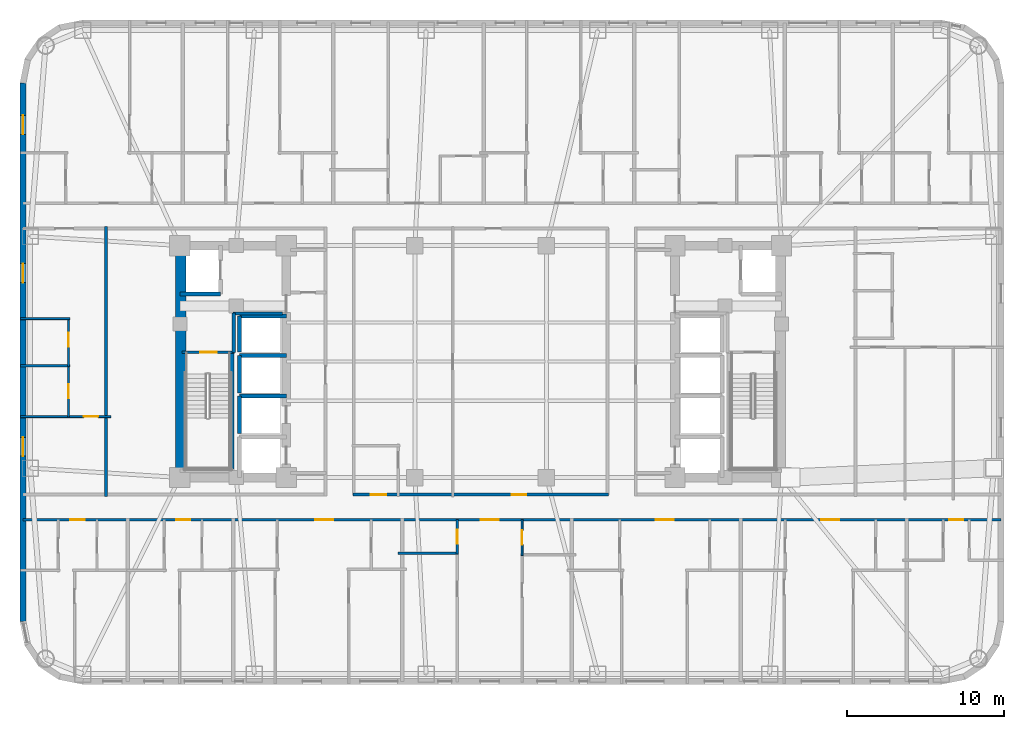
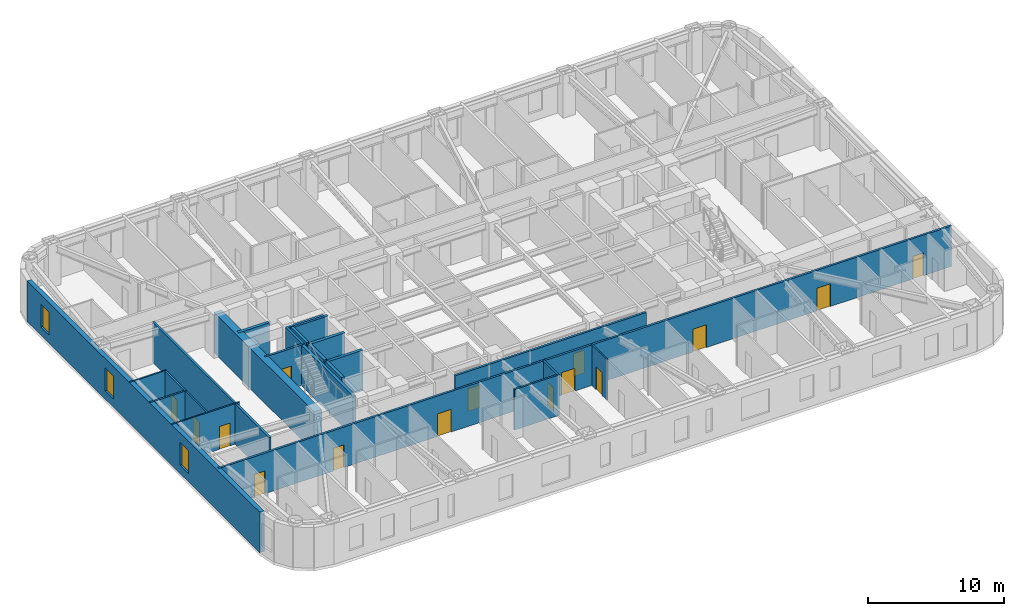
# One storey, part 4 of 11: 24 walls, 15 doors, 3 windows, 18 openings.
"""IFC4 building model written with IfcOpenShell, lengths in metres."""

from ifc_helpers import new_model, si_unit, direction, frame, frame_2d, origin, place, context, subcontext, project, spatial, rectangle, extrude, material, layer, layer_set, type_object, element, fill, save


model = new_model("IFC4")

# Units and contexts
model_context = context("Model", 3, precision=1e-05, world=origin(), true_north=direction((0.0, 1.0)))
body_context = subcontext(model_context, "Body", "Model", "MODEL_VIEW")
ifc_project = project(units=[si_unit("LENGTHUNIT", "METRE"), si_unit("AREAUNIT", "SQUARE_METRE"), si_unit("VOLUMEUNIT", "CUBIC_METRE"), si_unit("PLANEANGLEUNIT", "RADIAN"), si_unit("MASSUNIT", "GRAM", prefix="KILO")], contexts=[model_context])

# Site, building, storey
site_placement = place(None, origin())
site = spatial("IfcSite", under=ifc_project, at=site_placement, CompositionType="ELEMENT")
building_placement = place(site_placement, origin())
building = spatial("IfcBuilding", under=site, at=building_placement, Name="Voryun Gate Residences", CompositionType="ELEMENT")
storey_placement = place(building_placement, frame((0.0, 0.0, 105.300048828125)))
storey = spatial("IfcBuildingStorey", under=building, at=storey_placement, Name="L25", CompositionType="ELEMENT", Elevation=105.300048828125)

# Wall
ifc_material_1 = material(Name="Concrete C60/75", Category="concrete")
ifc_layer_1 = layer(ifc_material_1, 0.64990234375, Name="CW_CORE_650")
ifc_layer_set_1 = layer_set([ifc_layer_1], Name="Concrete C60/75")
wall_type_1 = type_object("IfcWallType", Name="CW_CORE_650", PredefinedType="SHEAR", material=ifc_layer_set_1)
wall_1_placement = place(storey_placement, frame((-19.14501953125, -7.39990234375, 0.0), z_axis=(0.0, 0.0, 1.0), x_axis=(0.0, 1.0, 0.0)))
element("IfcWall", 1, at=wall_1_placement, inside=storey, type_object=wall_type_1, Name="L25 Core shear wall CW-L25-WW", PredefinedType="SHEAR", context=body_context, shape_type="SweptSolid", body=[
    extrude(rectangle(XDim=14.7998046875, YDim=0.64990234375, at=frame_2d((7.39990234375, 0.0))), origin(), (0.0, 0.0, 1.0), 3.64990234375),
])

# Wall, opening, door
ifc_material_2 = material(Name="Gypsum acoustic fireboard")
ifc_layer_2 = layer(ifc_material_2, 0.179931640625, Name="W_CORR_RATED_180")
ifc_layer_set_2 = layer_set([ifc_layer_2], Name="Gypsum acoustic fireboard")
wall_type_2 = type_object("IfcWallType", Name="W_CORR_RATED_180", PredefinedType="PARTITIONING", material=ifc_layer_set_2)
wall_2_placement = place(storey_placement, frame((-19.06005859375, 0.60009765625, 0.0), z_axis=(0.0, 0.0, 1.0), x_axis=(1.0, 0.0, 0.0)))
wall_2 = element("IfcWall", 2, at=wall_2_placement, inside=storey, type_object=wall_type_2, Name="Partition wall WP-L25-STV-W", PredefinedType="PARTITIONING", context=body_context, shape_type="SweptSolid", body=[
    extrude(rectangle(XDim=3.360107421875, YDim=0.179931640625, at=frame_2d((1.68017578125, 0.0))), origin(), (0.0, 0.0, 1.0), 3.64990234375),
])
opening_1_placement = place(wall_2_placement, frame((1.155029296875, 0.0, 0.0)))
opening_1 = element("IfcOpeningElement", 3, at=opening_1_placement, cuts=wall_2, Name="Opening D-FD60-1", PredefinedType="OPENING", context=body_context, shape_type="SweptSolid", body=[
    extrude(rectangle(XDim=1.050048828125, YDim=2.050048828125, at=frame_2d((0.52490234375, 1.02490234375))), frame((0.0, 0.099853515625, 0.0), z_axis=(0.0, -1.0, 0.0), x_axis=(1.0, 0.0, 0.0)), (0.0, 0.0, 1.0), 0.199951171875),
])
ifc_material_3 = material(Name="Painted steel fire door", Category="steel")
door_type_1 = type_object("IfcDoorType", Name="DR_FD60_STAIR_1050", OperationType="NOTDEFINED", PredefinedType="DOOR", material=ifc_material_3)
door_1_placement = place(opening_1_placement, origin())
door_1 = element("IfcDoor", 4, at=door_1_placement, inside=storey, type_object=door_type_1, Name="Door DR-L25-ST-W", OperationType="SINGLE_SWING_LEFT", OverallHeight=2.050048828125, OverallWidth=1.050048828125, PredefinedType="DOOR", context=body_context, shape_type="SweptSolid", body=[
    extrude(rectangle(XDim=1.050048828125, YDim=2.050048828125, at=frame_2d((0.52490234375, 1.02490234375))), frame((0.0, 0.02490234375, 0.0), z_axis=(0.0, -1.0, 0.0), x_axis=(1.0, 0.0, 0.0)), (0.0, 0.0, 1.0), 0.050048828125),
])
fill(opening_1, door_1)

# Wall, openings, doors
wall_3_placement = place(storey_placement, frame((-8.14990234375, -8.489990234375, 0.0), z_axis=(0.0, 0.0, 1.0), x_axis=(1.0, 0.0, 0.0)))
wall_3 = element("IfcWall", 5, at=wall_3_placement, inside=storey, type_object=wall_type_2, Name="Partition wall WP-L25-Z1S", PredefinedType="PARTITIONING", context=body_context, shape_type="SweptSolid", body=[
    extrude(rectangle(XDim=16.2998046875, YDim=0.179931640625, at=frame_2d((8.14990234375, 0.0))), origin(), (0.0, 0.0, 1.0), 3.64990234375),
])
opening_2_placement = place(wall_3_placement, frame((1.1298828125, 0.0, 0.0)))
opening_2 = element("IfcOpeningElement", 6, at=opening_2_placement, cuts=wall_3, Name="Opening D-AWC-1", PredefinedType="OPENING", context=body_context, shape_type="SweptSolid", body=[
    extrude(rectangle(XDim=1.0, YDim=2.050048828125, at=frame_2d((0.5, 1.02490234375))), frame((0.0, 0.099853515625, 0.0), z_axis=(0.0, -1.0, 0.0), x_axis=(1.0, 0.0, 0.0)), (0.0, 0.0, 1.0), 0.199951171875),
])
opening_3_placement = place(wall_3_placement, frame((10.1201171875, 0.0, 0.0)))
opening_3 = element("IfcOpeningElement", 7, at=opening_3_placement, cuts=wall_3, Name="Opening D-INT-1", PredefinedType="OPENING", context=body_context, shape_type="SweptSolid", body=[
    extrude(rectangle(XDim=0.949951171875, YDim=2.050048828125, at=frame_2d((0.47509765625, 1.02490234375))), frame((0.0, 0.099853515625, 0.0), z_axis=(0.0, -1.0, 0.0), x_axis=(1.0, 0.0, 0.0)), (0.0, 0.0, 1.0), 0.199951171875),
])
ifc_material_4 = material(Name="Architectural oak veneer")
door_type_2 = type_object("IfcDoorType", Name="DR_ACC_WC_1000", OperationType="NOTDEFINED", PredefinedType="DOOR", material=ifc_material_4)
door_2_placement = place(opening_2_placement, origin())
door_2 = element("IfcDoor", 8, at=door_2_placement, inside=storey, type_object=door_type_2, Name="Door DR-L25-CMWC-D", OperationType="SINGLE_SWING_LEFT", OverallHeight=2.050048828125, OverallWidth=1.0, PredefinedType="DOOR", context=body_context, shape_type="SweptSolid", body=[
    extrude(rectangle(XDim=1.0, YDim=2.050048828125, at=frame_2d((0.5, 1.02490234375))), frame((0.0, 0.02490234375, 0.0), z_axis=(0.0, -1.0, 0.0), x_axis=(1.0, 0.0, 0.0)), (0.0, 0.0, 1.0), 0.050048828125),
])
fill(opening_2, door_2)
ifc_material_5 = material(Name="Architectural oak veneer")
door_type_3 = type_object("IfcDoorType", Name="DR_INT_ROOM_950", OperationType="NOTDEFINED", PredefinedType="DOOR", material=ifc_material_5)
door_3_placement = place(opening_3_placement, origin())
door_3 = element("IfcDoor", 9, at=door_3_placement, inside=storey, type_object=door_type_3, Name="Door DR-L25-CMIDZ1S", OperationType="SINGLE_SWING_RIGHT", OverallHeight=2.050048828125, OverallWidth=0.949951171875, PredefinedType="DOOR", context=body_context, shape_type="SweptSolid", body=[
    extrude(rectangle(XDim=0.949951171875, YDim=2.050048828125, at=frame_2d((0.47509765625, 1.02490234375))), frame((0.0, 0.02490234375, 0.0), z_axis=(0.0, -1.0, 0.0), x_axis=(1.0, 0.0, 0.0)), (0.0, 0.0, 1.0), 0.050048828125),
])
fill(opening_3, door_3)

wall_4_placement = place(storey_placement, frame((-29.2099609375, -10.10009765625, 0.0), z_axis=(0.0, 0.0, 1.0), x_axis=(1.0, 0.0, 0.0)))
wall_4 = element("IfcWall", 10, at=wall_4_placement, inside=storey, type_object=wall_type_2, Name="Partition wall WP-L25-SCORR", PredefinedType="PARTITIONING", context=body_context, shape_type="SweptSolid", body=[
    extrude(rectangle(XDim=62.419921875, YDim=0.179931640625, at=frame_2d((31.2099609375, 0.0))), origin(), (0.0, 0.0, 1.0), 3.64990234375),
])
opening_4_placement = place(wall_4_placement, frame((3.032958984375, 0.0, 0.0)))
opening_4 = element("IfcOpeningElement", 11, at=opening_4_placement, cuts=wall_4, Name="Opening D-INT-2", PredefinedType="OPENING", context=body_context, shape_type="SweptSolid", body=[
    extrude(rectangle(XDim=0.89990234375, YDim=2.050048828125, at=frame_2d((0.449951171875, 1.02490234375))), frame((0.0, 0.099853515625, 0.0), z_axis=(0.0, -1.0, 0.0), x_axis=(1.0, 0.0, 0.0)), (0.0, 0.0, 1.0), 0.199951171875),
])
opening_5_placement = place(wall_4_placement, frame((9.768310546875, 0.0, 0.0)))
opening_5 = element("IfcOpeningElement", 12, at=opening_5_placement, cuts=wall_4, Name="Opening D-INT-2", PredefinedType="OPENING", context=body_context, shape_type="SweptSolid", body=[
    extrude(rectangle(XDim=0.89990234375, YDim=2.050048828125, at=frame_2d((0.449951171875, 1.02490234375))), frame((0.0, 0.099853515625, 0.0), z_axis=(0.0, -1.0, 0.0), x_axis=(1.0, 0.0, 0.0)), (0.0, 0.0, 1.0), 0.199951171875),
])
opening_6_placement = place(wall_4_placement, frame((18.650390625, 0.0, 0.0)))
opening_6 = element("IfcOpeningElement", 13, at=opening_6_placement, cuts=wall_4, Name="Opening D-UNIT-1", PredefinedType="OPENING", context=body_context, shape_type="SweptSolid", body=[
    extrude(rectangle(XDim=1.14990234375, YDim=2.050048828125, at=frame_2d((0.574951171875, 1.02490234375))), frame((0.0, 0.099853515625, 0.0), z_axis=(0.0, -1.0, 0.0), x_axis=(1.0, 0.0, 0.0)), (0.0, 0.0, 1.0), 0.199951171875),
])
opening_7_placement = place(wall_4_placement, frame((29.2119140625, 0.0, 0.0)))
opening_7 = element("IfcOpeningElement", 14, at=opening_7_placement, cuts=wall_4, Name="Opening D-UNIT-1", PredefinedType="OPENING", context=body_context, shape_type="SweptSolid", body=[
    extrude(rectangle(XDim=1.14990234375, YDim=2.050048828125, at=frame_2d((0.574951171875, 1.02490234375))), frame((0.0, 0.099853515625, 0.0), z_axis=(0.0, -1.0, 0.0), x_axis=(1.0, 0.0, 0.0)), (0.0, 0.0, 1.0), 0.199951171875),
])
opening_8_placement = place(wall_4_placement, frame((40.37890625, 0.0, 0.0)))
opening_8 = element("IfcOpeningElement", 15, at=opening_8_placement, cuts=wall_4, Name="Opening D-UNIT-1", PredefinedType="OPENING", context=body_context, shape_type="SweptSolid", body=[
    extrude(rectangle(XDim=1.14990234375, YDim=2.050048828125, at=frame_2d((0.574951171875, 1.02490234375))), frame((0.0, 0.099853515625, 0.0), z_axis=(0.0, -1.0, 0.0), x_axis=(1.0, 0.0, 0.0)), (0.0, 0.0, 1.0), 0.199951171875),
])
opening_9_placement = place(wall_4_placement, frame((50.958984375, 0.0, 0.0)))
opening_9 = element("IfcOpeningElement", 16, at=opening_9_placement, cuts=wall_4, Name="Opening D-UNIT-1", PredefinedType="OPENING", context=body_context, shape_type="SweptSolid", body=[
    extrude(rectangle(XDim=1.14990234375, YDim=2.050048828125, at=frame_2d((0.574951171875, 1.02490234375))), frame((0.0, 0.099853515625, 0.0), z_axis=(0.0, -1.0, 0.0), x_axis=(1.0, 0.0, 0.0)), (0.0, 0.0, 1.0), 0.199951171875),
])
opening_10_placement = place(wall_4_placement, frame((59.117431640625, 0.0, 0.0)))
opening_10 = element("IfcOpeningElement", 17, at=opening_10_placement, cuts=wall_4, Name="Opening D-INT-2", PredefinedType="OPENING", context=body_context, shape_type="SweptSolid", body=[
    extrude(rectangle(XDim=0.89990234375, YDim=2.050048828125, at=frame_2d((0.449951171875, 1.02490234375))), frame((0.0, 0.099853515625, 0.0), z_axis=(0.0, -1.0, 0.0), x_axis=(1.0, 0.0, 0.0)), (0.0, 0.0, 1.0), 0.199951171875),
])
ifc_material_6 = material(Name="Architectural oak veneer")
door_type_4 = type_object("IfcDoorType", Name="DR_INT_BATH_900", OperationType="NOTDEFINED", PredefinedType="DOOR", material=ifc_material_6)
door_4_placement = place(opening_4_placement, origin())
door_4 = element("IfcDoor", 18, at=door_4_placement, inside=storey, type_object=door_type_4, Name="Door DR-L25-SENT-1", OperationType="SINGLE_SWING_RIGHT", OverallHeight=2.050048828125, OverallWidth=0.89990234375, PredefinedType="DOOR", context=body_context, shape_type="SweptSolid", body=[
    extrude(rectangle(XDim=0.89990234375, YDim=2.050048828125, at=frame_2d((0.449951171875, 1.02490234375))), frame((0.0, 0.02490234375, 0.0), z_axis=(0.0, -1.0, 0.0), x_axis=(1.0, 0.0, 0.0)), (0.0, 0.0, 1.0), 0.050048828125),
])
fill(opening_4, door_4)
door_5_placement = place(opening_5_placement, origin())
door_5 = element("IfcDoor", 19, at=door_5_placement, inside=storey, type_object=door_type_4, Name="Door DR-L25-SENT-2", OperationType="SINGLE_SWING_LEFT", OverallHeight=2.050048828125, OverallWidth=0.89990234375, PredefinedType="DOOR", context=body_context, shape_type="SweptSolid", body=[
    extrude(rectangle(XDim=0.89990234375, YDim=2.050048828125, at=frame_2d((0.449951171875, 1.02490234375))), frame((0.0, 0.02490234375, 0.0), z_axis=(0.0, -1.0, 0.0), x_axis=(1.0, 0.0, 0.0)), (0.0, 0.0, 1.0), 0.050048828125),
])
fill(opening_5, door_5)
door_6_placement = place(opening_10_placement, origin())
door_6 = element("IfcDoor", 20, at=door_6_placement, inside=storey, type_object=door_type_4, Name="Door DR-L25-SENT-7", OperationType="SINGLE_SWING_RIGHT", OverallHeight=2.050048828125, OverallWidth=0.89990234375, PredefinedType="DOOR", context=body_context, shape_type="SweptSolid", body=[
    extrude(rectangle(XDim=0.89990234375, YDim=2.050048828125, at=frame_2d((0.449951171875, 1.02490234375))), frame((0.0, 0.02490234375, 0.0), z_axis=(0.0, -1.0, 0.0), x_axis=(1.0, 0.0, 0.0)), (0.0, 0.0, 1.0), 0.050048828125),
])
fill(opening_10, door_6)
ifc_material_7 = material(Name="Armoured timber-clad fire door", Category="wood")
door_type_5 = type_object("IfcDoorType", Name="DR_UNIT_ENTRY_1150", OperationType="NOTDEFINED", PredefinedType="DOOR", material=ifc_material_7)
door_7_placement = place(opening_6_placement, origin())
door_7 = element("IfcDoor", 21, at=door_7_placement, inside=storey, type_object=door_type_5, Name="Door DR-L25-SENT-3", OperationType="SINGLE_SWING_RIGHT", OverallHeight=2.050048828125, OverallWidth=1.14990234375, PredefinedType="DOOR", context=body_context, shape_type="SweptSolid", body=[
    extrude(rectangle(XDim=1.14990234375, YDim=2.050048828125, at=frame_2d((0.574951171875, 1.02490234375))), frame((0.0, 0.02490234375, 0.0), z_axis=(0.0, -1.0, 0.0), x_axis=(1.0, 0.0, 0.0)), (0.0, 0.0, 1.0), 0.050048828125),
])
fill(opening_6, door_7)
door_8_placement = place(opening_7_placement, origin())
door_8 = element("IfcDoor", 22, at=door_8_placement, inside=storey, type_object=door_type_5, Name="Door DR-L25-SENT-4", OperationType="SINGLE_SWING_LEFT", OverallHeight=2.050048828125, OverallWidth=1.14990234375, PredefinedType="DOOR", context=body_context, shape_type="SweptSolid", body=[
    extrude(rectangle(XDim=1.14990234375, YDim=2.050048828125, at=frame_2d((0.574951171875, 1.02490234375))), frame((0.0, 0.02490234375, 0.0), z_axis=(0.0, -1.0, 0.0), x_axis=(1.0, 0.0, 0.0)), (0.0, 0.0, 1.0), 0.050048828125),
])
fill(opening_7, door_8)
door_9_placement = place(opening_8_placement, origin())
door_9 = element("IfcDoor", 23, at=door_9_placement, inside=storey, type_object=door_type_5, Name="Door DR-L25-SENT-5", OperationType="SINGLE_SWING_RIGHT", OverallHeight=2.050048828125, OverallWidth=1.14990234375, PredefinedType="DOOR", context=body_context, shape_type="SweptSolid", body=[
    extrude(rectangle(XDim=1.14990234375, YDim=2.050048828125, at=frame_2d((0.574951171875, 1.02490234375))), frame((0.0, 0.02490234375, 0.0), z_axis=(0.0, -1.0, 0.0), x_axis=(1.0, 0.0, 0.0)), (0.0, 0.0, 1.0), 0.050048828125),
])
fill(opening_8, door_9)
door_10_placement = place(opening_9_placement, origin())
door_10 = element("IfcDoor", 24, at=door_10_placement, inside=storey, type_object=door_type_5, Name="Door DR-L25-SENT-6", OperationType="SINGLE_SWING_LEFT", OverallHeight=2.050048828125, OverallWidth=1.14990234375, PredefinedType="DOOR", context=body_context, shape_type="SweptSolid", body=[
    extrude(rectangle(XDim=1.14990234375, YDim=2.050048828125, at=frame_2d((0.574951171875, 1.02490234375))), frame((0.0, 0.02490234375, 0.0), z_axis=(0.0, -1.0, 0.0), x_axis=(1.0, 0.0, 0.0)), (0.0, 0.0, 1.0), 0.050048828125),
])
fill(opening_9, door_10)

# Wall
wall_5_placement = place(storey_placement, frame((-23.919921875, -8.610107421875, 0.0), z_axis=(0.0, 0.0, 1.0), x_axis=(0.0, 1.0, 0.0)))
element("IfcWall", 25, at=wall_5_placement, inside=storey, type_object=wall_type_2, Name="Partition wall WP-L25-WCOR", PredefinedType="PARTITIONING", context=body_context, shape_type="SweptSolid", body=[
    extrude(rectangle(XDim=17.22021484375, YDim=0.179931640625, at=frame_2d((8.610107421875, 0.0))), origin(), (0.0, 0.0, 1.0), 3.64990234375),
])

# Wall, openings, windows
ifc_material_8 = material(Name="Granite masonry", Category="masonry")
ifc_layer_3 = layer(ifc_material_8, 0.3798828125, Name="W_EXT_GRANITE_380")
ifc_layer_set_3 = layer_set([ifc_layer_3], Name="Granite masonry")
wall_type_3 = type_object("IfcWallType", Name="W_EXT_GRANITE_380", PredefinedType="ELEMENTEDWALL", material=ifc_layer_set_3)
wall_6_placement = place(storey_placement, frame((-29.2099609375, -16.581298828125, 0.0), z_axis=(0.0, 0.0, 1.0), x_axis=(0.0, 1.0, 0.0)))
wall_6 = element("IfcWall", 26, at=wall_6_placement, inside=storey, type_object=wall_type_3, Name="Exterior wall WEXT-L25-06", PredefinedType="ELEMENTEDWALL", context=body_context, shape_type="SweptSolid", body=[
    extrude(rectangle(XDim=34.362548828125, YDim=0.3798828125, at=frame_2d((17.18115234375, 0.0))), origin(), (0.0, 0.0, 1.0), 3.64990234375),
])
opening_11_placement = place(wall_6_placement, frame((31.0869140625, 0.0, 0.75)))
opening_11 = element("IfcOpeningElement", 27, at=opening_11_placement, cuts=wall_6, Name="Opening WN6", PredefinedType="OPENING", context=body_context, shape_type="SweptSolid", body=[
    extrude(rectangle(XDim=1.199951171875, YDim=2.050048828125, at=frame_2d((0.60009765625, 1.02490234375))), frame((0.0, 0.199951171875, 0.0), z_axis=(0.0, -1.0, 0.0), x_axis=(1.0, 0.0, 0.0)), (0.0, 0.0, 1.0), 0.39990234375),
])
opening_12_placement = place(wall_6_placement, frame((21.626220703125, 0.0, 0.75)))
opening_12 = element("IfcOpeningElement", 28, at=opening_12_placement, cuts=wall_6, Name="Opening WN6", PredefinedType="OPENING", context=body_context, shape_type="SweptSolid", body=[
    extrude(rectangle(XDim=1.199951171875, YDim=2.050048828125, at=frame_2d((0.60009765625, 1.02490234375))), frame((0.0, 0.199951171875, 0.0), z_axis=(0.0, -1.0, 0.0), x_axis=(1.0, 0.0, 0.0)), (0.0, 0.0, 1.0), 0.39990234375),
])
opening_13_placement = place(wall_6_placement, frame((10.55126953125, 0.0, 0.75)))
opening_13 = element("IfcOpeningElement", 29, at=opening_13_placement, cuts=wall_6, Name="Opening WN6", PredefinedType="OPENING", context=body_context, shape_type="SweptSolid", body=[
    extrude(rectangle(XDim=1.199951171875, YDim=2.050048828125, at=frame_2d((0.60009765625, 1.02490234375))), frame((0.0, 0.199951171875, 0.0), z_axis=(0.0, -1.0, 0.0), x_axis=(1.0, 0.0, 0.0)), (0.0, 0.0, 1.0), 0.39990234375),
])
ifc_material_9 = material(Name="Laminated low-E glass", Category="glass")
window_type = type_object("IfcWindowType", Name="WN_POD_SLOT_1200", PartitioningType="SINGLE_PANEL", PredefinedType="WINDOW", material=ifc_material_9)
window_1_placement = place(opening_11_placement, origin())
window_1 = element("IfcWindow", 30, at=window_1_placement, inside=storey, type_object=window_type, Name="Window WN-L25-DWFIX-01", OverallHeight=2.050048828125, OverallWidth=1.199951171875, PartitioningType="SINGLE_PANEL", PredefinedType="WINDOW", context=body_context, shape_type="SweptSolid", body=[
    extrude(rectangle(XDim=1.199951171875, YDim=2.050048828125, at=frame_2d((0.60009765625, 1.02490234375))), frame((0.0, 0.030029296875, 0.0), z_axis=(0.0, -1.0, 0.0), x_axis=(1.0, 0.0, 0.0)), (0.0, 0.0, 1.0), 0.06005859375),
])
fill(opening_11, window_1)
window_2_placement = place(opening_12_placement, origin())
window_2 = element("IfcWindow", 31, at=window_2_placement, inside=storey, type_object=window_type, Name="Window WN-L25-DWFIX-29", OverallHeight=2.050048828125, OverallWidth=1.199951171875, PartitioningType="SINGLE_PANEL", PredefinedType="WINDOW", context=body_context, shape_type="SweptSolid", body=[
    extrude(rectangle(XDim=1.199951171875, YDim=2.050048828125, at=frame_2d((0.60009765625, 1.02490234375))), frame((0.0, 0.030029296875, 0.0), z_axis=(0.0, -1.0, 0.0), x_axis=(1.0, 0.0, 0.0)), (0.0, 0.0, 1.0), 0.06005859375),
])
fill(opening_12, window_2)
window_3_placement = place(opening_13_placement, origin())
window_3 = element("IfcWindow", 32, at=window_3_placement, inside=storey, type_object=window_type, Name="Window WN-L25-DWFIX-30", OverallHeight=2.050048828125, OverallWidth=1.199951171875, PartitioningType="SINGLE_PANEL", PredefinedType="WINDOW", context=body_context, shape_type="SweptSolid", body=[
    extrude(rectangle(XDim=1.199951171875, YDim=2.050048828125, at=frame_2d((0.60009765625, 1.02490234375))), frame((0.0, 0.030029296875, 0.0), z_axis=(0.0, -1.0, 0.0), x_axis=(1.0, 0.0, 0.0)), (0.0, 0.0, 1.0), 0.06005859375),
])
fill(opening_13, window_3)

# Walls
ifc_material_10 = material(Name="Concrete C40/50", Category="concrete")
ifc_layer_4 = layer(ifc_material_10, 0.199951171875, Name="W_FF_LOBBY_200")
ifc_layer_set_4 = layer_set([ifc_layer_4], Name="Concrete C40/50")
wall_type_4 = type_object("IfcWallType", Name="W_FF_LOBBY_200", PredefinedType="PARTITIONING", material=ifc_layer_set_4)
wall_7_placement = place(storey_placement, frame((-15.760009765625, 0.580078125, 0.0), z_axis=(0.0, 0.0, 1.0), x_axis=(0.0, 1.0, 0.0)))
element("IfcWall", 33, at=wall_7_placement, inside=storey, type_object=wall_type_4, Name="Partition wall WP-L25-FFP0-W", PredefinedType="PARTITIONING", context=body_context, shape_type="SweptSolid", body=[
    extrude(rectangle(XDim=2.52001953125, YDim=0.199951171875, at=frame_2d((1.260009765625, 0.0))), origin(), (0.0, 0.0, 1.0), 3.64990234375),
])
wall_8_placement = place(storey_placement, frame((-15.820068359375, 3.06005859375, 0.0), z_axis=(0.0, 0.0, 1.0), x_axis=(1.0, 0.0, 0.0)))
element("IfcWall", 34, at=wall_8_placement, inside=storey, type_object=wall_type_4, Name="Partition wall WP-L25-FFPS-W", PredefinedType="PARTITIONING", context=body_context, shape_type="SweptSolid", body=[
    extrude(rectangle(XDim=3.16015625, YDim=0.199951171875, at=frame_2d((1.580078125, 0.0))), origin(), (0.0, 0.0, 1.0), 3.64990234375),
])
ifc_material_11 = material(Name="Concrete C50/60", Category="concrete")
ifc_layer_5 = layer(ifc_material_11, 0.25, Name="W_SHAFT_RC250")
ifc_layer_set_5 = layer_set([ifc_layer_5], Name="Concrete C50/60")
wall_type_5 = type_object("IfcWallType", Name="W_SHAFT_RC250", PredefinedType="SOLIDWALL", material=ifc_layer_set_5)
wall_9_placement = place(storey_placement, frame((-15.860107421875, -7.0849609375, 0.0), z_axis=(0.0, 0.0, 1.0), x_axis=(0.0, 1.0, 0.0)))
element("IfcWall", 35, at=wall_9_placement, inside=storey, type_object=wall_type_5, Name="L25 Stair shaft structural wall W-STR", PredefinedType="SOLIDWALL", context=body_context, shape_type="SweptSolid", body=[
    extrude(rectangle(XDim=7.68505859375, YDim=0.25, at=frame_2d((3.842529296875, 0.0))), origin(), (0.0, 0.0, 1.0), 3.64990234375),
])
wall_10_placement = place(storey_placement, frame((-19.199951171875, 4.300048828125, 0.0), z_axis=(0.0, 0.0, 1.0), x_axis=(1.0, 0.0, 0.0)))
element("IfcWall", 36, at=wall_10_placement, inside=storey, type_object=wall_type_5, Name="Lift shaft wall WSH-L25-EL-FF-W1-S", PredefinedType="SOLIDWALL", context=body_context, shape_type="SweptSolid", body=[
    extrude(rectangle(XDim=2.599853515625, YDim=0.25, at=frame_2d((1.2998046875, 0.0))), origin(), (0.0, 0.0, 1.0), 3.64990234375),
])
wall_11_placement = place(storey_placement, frame((-12.39990234375, -2.199951171875, 0.0), z_axis=(0.0, 0.0, 1.0), x_axis=(-1.0, 0.0, 0.0)))
element("IfcWall", 37, at=wall_11_placement, inside=storey, type_object=wall_type_5, Name="Lift shaft wall WSH-L25-EL-P2-N", PredefinedType="SOLIDWALL", context=body_context, shape_type="SweptSolid", body=[
    extrude(rectangle(XDim=3.0, YDim=0.25, at=frame_2d((1.5, 0.0))), origin(), (0.0, 0.0, 1.0), 3.64990234375),
])
wall_12_placement = place(storey_placement, frame((-15.39990234375, -2.199951171875, 0.0), z_axis=(0.0, 0.0, 1.0), x_axis=(0.0, -1.0, 0.0)))
element("IfcWall", 38, at=wall_12_placement, inside=storey, type_object=wall_type_5, Name="Lift shaft wall WSH-L25-EL-P2-W", PredefinedType="SOLIDWALL", context=body_context, shape_type="SweptSolid", body=[
    extrude(rectangle(XDim=2.400146484375, YDim=0.25, at=frame_2d((1.2001953125, 0.0))), origin(), (0.0, 0.0, 1.0), 3.64990234375),
])
wall_13_placement = place(storey_placement, frame((-12.39990234375, 0.39990234375, 0.0), z_axis=(0.0, 0.0, 1.0), x_axis=(-1.0, 0.0, 0.0)))
element("IfcWall", 39, at=wall_13_placement, inside=storey, type_object=wall_type_5, Name="Lift shaft wall WSH-L25-EL-P4-N", PredefinedType="SOLIDWALL", context=body_context, shape_type="SweptSolid", body=[
    extrude(rectangle(XDim=3.0, YDim=0.25, at=frame_2d((1.5, 0.0))), origin(), (0.0, 0.0, 1.0), 3.64990234375),
])
wall_14_placement = place(storey_placement, frame((-15.39990234375, 0.39990234375, 0.0), z_axis=(0.0, 0.0, 1.0), x_axis=(0.0, -1.0, 0.0)))
element("IfcWall", 40, at=wall_14_placement, inside=storey, type_object=wall_type_5, Name="Lift shaft wall WSH-L25-EL-P4-W", PredefinedType="SOLIDWALL", context=body_context, shape_type="SweptSolid", body=[
    extrude(rectangle(XDim=2.39990234375, YDim=0.25, at=frame_2d((1.199951171875, 0.0))), origin(), (0.0, 0.0, 1.0), 3.64990234375),
])
wall_15_placement = place(storey_placement, frame((-12.39990234375, 2.89990234375, 0.0), z_axis=(0.0, 0.0, 1.0), x_axis=(-1.0, 0.0, 0.0)))
element("IfcWall", 41, at=wall_15_placement, inside=storey, type_object=wall_type_5, Name="Lift shaft wall WSH-L25-EL-P7-N", PredefinedType="SOLIDWALL", context=body_context, shape_type="SweptSolid", body=[
    extrude(rectangle(XDim=3.0, YDim=0.25, at=frame_2d((1.5, 0.0))), origin(), (0.0, 0.0, 1.0), 3.64990234375),
])
wall_16_placement = place(storey_placement, frame((-15.39990234375, 2.89990234375, 0.0), z_axis=(0.0, 0.0, 1.0), x_axis=(0.0, -1.0, 0.0)))
element("IfcWall", 42, at=wall_16_placement, inside=storey, type_object=wall_type_5, Name="Lift shaft wall WSH-L25-EL-P7-W", PredefinedType="SOLIDWALL", context=body_context, shape_type="SweptSolid", body=[
    extrude(rectangle(XDim=2.2998046875, YDim=0.25, at=frame_2d((1.14990234375, 0.0))), origin(), (0.0, 0.0, 1.0), 3.64990234375),
])

# Wall, opening, door
ifc_material_12 = material(Name="Gypsum acoustic partition")
ifc_layer_6 = layer(ifc_material_12, 0.125, Name="W_UNIT_PART_125")
ifc_layer_set_6 = layer_set([ifc_layer_6], Name="Gypsum acoustic partition")
wall_type_6 = type_object("IfcWallType", Name="W_UNIT_PART_125", PredefinedType="PARTITIONING", material=ifc_layer_set_6)
wall_17_placement = place(storey_placement, frame((2.639892578125, -12.3798828125, 0.0), z_axis=(0.0, 0.0, 1.0), x_axis=(0.0, 1.0, 0.0)))
wall_17 = element("IfcWall", 43, at=wall_17_placement, inside=storey, type_object=wall_type_6, Name="Partition wall WP-L25-S4-RVX2", PredefinedType="PARTITIONING", context=body_context, shape_type="SweptSolid", body=[
    extrude(rectangle(XDim=2.2998046875, YDim=0.125, at=frame_2d((1.14990234375, 0.0))), origin(), (0.0, 0.0, 1.0), 3.64990234375),
])
opening_14_placement = place(wall_17_placement, frame((0.699951171875, 0.0, 0.0)))
opening_14 = element("IfcOpeningElement", 44, at=opening_14_placement, cuts=wall_17, Name="Opening D-INT-2", PredefinedType="OPENING", context=body_context, shape_type="SweptSolid", body=[
    extrude(rectangle(XDim=0.89990234375, YDim=2.050048828125, at=frame_2d((0.449951171875, 1.02490234375))), frame((0.0, 0.072509765625, 0.0), z_axis=(0.0, -1.0, 0.0), x_axis=(1.0, 0.0, 0.0)), (0.0, 0.0, 1.0), 0.14501953125),
])
door_11_placement = place(opening_14_placement, origin())
door_11 = element("IfcDoor", 45, at=door_11_placement, inside=storey, type_object=door_type_4, Name="Door DR-L25-S4-DK", OperationType="SINGLE_SWING_LEFT", OverallHeight=2.050048828125, OverallWidth=0.89990234375, PredefinedType="DOOR", context=body_context, shape_type="SweptSolid", body=[
    extrude(rectangle(XDim=0.89990234375, YDim=2.050048828125, at=frame_2d((0.449951171875, 1.02490234375))), frame((0.0, 0.02490234375, 0.0), z_axis=(0.0, -1.0, 0.0), x_axis=(1.0, 0.0, 0.0)), (0.0, 0.0, 1.0), 0.050048828125),
])
fill(opening_14, door_11)

# Wall
wall_18_placement = place(storey_placement, frame((-29.360107421875, 2.739990234375, 0.0), z_axis=(0.0, 0.0, 1.0), x_axis=(1.0, 0.0, 0.0)))
element("IfcWall", 46, at=wall_18_placement, inside=storey, type_object=wall_type_6, Name="Partition wall WP-L25-W1-HZ1", PredefinedType="PARTITIONING", context=body_context, shape_type="SweptSolid", body=[
    extrude(rectangle(XDim=3.135986328125, YDim=0.125, at=frame_2d((1.56787109375, 0.0))), origin(), (0.0, 0.0, 1.0), 3.64990234375),
])

# Wall, opening, door
wall_19_placement = place(storey_placement, frame((-29.360107421875, -3.510009765625, 0.0), z_axis=(0.0, 0.0, 1.0), x_axis=(1.0, 0.0, 0.0)))
wall_19 = element("IfcWall", 47, at=wall_19_placement, inside=storey, type_object=wall_type_6, Name="Partition wall WP-L25-W1-HZ3", PredefinedType="PARTITIONING", context=body_context, shape_type="SweptSolid", body=[
    extrude(rectangle(XDim=5.760009765625, YDim=0.125, at=frame_2d((2.8798828125, 0.0))), origin(), (0.0, 0.0, 1.0), 3.64990234375),
])
opening_15_placement = place(wall_19_placement, frame((4.042724609375, 0.0, 0.0)))
opening_15 = element("IfcOpeningElement", 48, at=opening_15_placement, cuts=wall_19, Name="Opening D-INT-2", PredefinedType="OPENING", context=body_context, shape_type="SweptSolid", body=[
    extrude(rectangle(XDim=0.89990234375, YDim=2.050048828125, at=frame_2d((0.449951171875, 1.02490234375))), frame((0.0, 0.072509765625, 0.0), z_axis=(0.0, -1.0, 0.0), x_axis=(1.0, 0.0, 0.0)), (0.0, 0.0, 1.0), 0.14501953125),
])
door_12_placement = place(opening_15_placement, origin())
door_12 = element("IfcDoor", 49, at=door_12_placement, inside=storey, type_object=door_type_4, Name="Door DR-L25-W1-DMB", OperationType="SINGLE_SWING_LEFT", OverallHeight=2.050048828125, OverallWidth=0.89990234375, PredefinedType="DOOR", context=body_context, shape_type="SweptSolid", body=[
    extrude(rectangle(XDim=0.89990234375, YDim=2.050048828125, at=frame_2d((0.449951171875, 1.02490234375))), frame((0.0, 0.02490234375, 0.0), z_axis=(0.0, -1.0, 0.0), x_axis=(1.0, 0.0, 0.0)), (0.0, 0.0, 1.0), 0.050048828125),
])
fill(opening_15, door_12)

# Wall
ifc_material_13 = material(Name="Gypsum moisture-resistant partition")
ifc_layer_7 = layer(ifc_material_13, 0.14990234375, Name="W_WET_PLUMB_150")
ifc_layer_set_7 = layer_set([ifc_layer_7], Name="Gypsum moisture-resistant partition")
wall_type_7 = type_object("IfcWallType", Name="W_WET_PLUMB_150", PredefinedType="PLUMBINGWALL", material=ifc_layer_set_7)
wall_20_placement = place(storey_placement, frame((-5.260009765625, -12.239990234375, 0.0), z_axis=(0.0, 0.0, 1.0), x_axis=(1.0, 0.0, 0.0)))
element("IfcWall", 50, at=wall_20_placement, inside=storey, type_object=wall_type_7, Name="Partition wall WP-L25-S4-LHY", PredefinedType="PLUMBINGWALL", context=body_context, shape_type="SweptSolid", body=[
    extrude(rectangle(XDim=3.85009765625, YDim=0.14990234375, at=frame_2d((1.925048828125, 0.0))), origin(), (0.0, 0.0, 1.0), 3.64990234375),
])

# Wall, opening, door
wall_21_placement = place(storey_placement, frame((-1.489990234375, -12.280029296875, 0.0), z_axis=(0.0, 0.0, 1.0), x_axis=(0.0, 1.0, 0.0)))
wall_21 = element("IfcWall", 51, at=wall_21_placement, inside=storey, type_object=wall_type_7, Name="Partition wall WP-L25-S4-LVX2", PredefinedType="PLUMBINGWALL", context=body_context, shape_type="SweptSolid", body=[
    extrude(rectangle(XDim=2.199951171875, YDim=0.14990234375, at=frame_2d((1.10009765625, 0.0))), origin(), (0.0, 0.0, 1.0), 3.64990234375),
])
opening_16_placement = place(wall_21_placement, frame((0.64990234375, 0.0, 0.0)))
opening_16 = element("IfcOpeningElement", 52, at=opening_16_placement, cuts=wall_21, Name="Opening D-INT-2", PredefinedType="OPENING", context=body_context, shape_type="SweptSolid", body=[
    extrude(rectangle(XDim=0.89990234375, YDim=2.050048828125, at=frame_2d((0.449951171875, 1.02490234375))), frame((0.0, 0.0849609375, 0.0), z_axis=(0.0, -1.0, 0.0), x_axis=(1.0, 0.0, 0.0)), (0.0, 0.0, 1.0), 0.169921875),
])
door_13_placement = place(opening_16_placement, origin())
door_13 = element("IfcDoor", 53, at=door_13_placement, inside=storey, type_object=door_type_4, Name="Door DR-L25-S4-DB", OperationType="SINGLE_SWING_RIGHT", OverallHeight=2.050048828125, OverallWidth=0.89990234375, PredefinedType="DOOR", context=body_context, shape_type="SweptSolid", body=[
    extrude(rectangle(XDim=0.89990234375, YDim=2.050048828125, at=frame_2d((0.449951171875, 1.02490234375))), frame((0.0, 0.02490234375, 0.0), z_axis=(0.0, -1.0, 0.0), x_axis=(1.0, 0.0, 0.0)), (0.0, 0.0, 1.0), 0.050048828125),
])
fill(opening_16, door_13)

# Wall
wall_22_placement = place(storey_placement, frame((-29.360107421875, -0.260009765625, 0.0), z_axis=(0.0, 0.0, 1.0), x_axis=(1.0, 0.0, 0.0)))
element("IfcWall", 54, at=wall_22_placement, inside=storey, type_object=wall_type_7, Name="Partition wall WP-L25-W1-HZ2", PredefinedType="PLUMBINGWALL", context=body_context, shape_type="SweptSolid", body=[
    extrude(rectangle(XDim=3.135986328125, YDim=0.14990234375, at=frame_2d((1.56787109375, 0.0))), origin(), (0.0, 0.0, 1.0), 3.64990234375),
])

# Wall, opening, door
wall_23_placement = place(storey_placement, frame((-26.303955078125, -3.550048828125, 0.0), z_axis=(0.0, 0.0, 1.0), x_axis=(0.0, 1.0, 0.0)))
wall_23 = element("IfcWall", 55, at=wall_23_placement, inside=storey, type_object=wall_type_7, Name="Partition wall WP-L25-W1-VKB1", PredefinedType="PLUMBINGWALL", context=body_context, shape_type="SweptSolid", body=[
    extrude(rectangle(XDim=3.330078125, YDim=0.14990234375, at=frame_2d((1.6650390625, 0.0))), origin(), (0.0, 0.0, 1.0), 3.64990234375),
])
opening_17_placement = place(wall_23_placement, frame((1.215087890625, 0.0, 0.0)))
opening_17 = element("IfcOpeningElement", 56, at=opening_17_placement, cuts=wall_23, Name="Opening D-INT-2", PredefinedType="OPENING", context=body_context, shape_type="SweptSolid", body=[
    extrude(rectangle(XDim=0.89990234375, YDim=2.050048828125, at=frame_2d((0.449951171875, 1.02490234375))), frame((0.0, 0.0849609375, 0.0), z_axis=(0.0, -1.0, 0.0), x_axis=(1.0, 0.0, 0.0)), (0.0, 0.0, 1.0), 0.169921875),
])
door_14_placement = place(opening_17_placement, origin())
door_14 = element("IfcDoor", 57, at=door_14_placement, inside=storey, type_object=door_type_4, Name="Door DR-L25-W1-DB", OperationType="SINGLE_SWING_LEFT", OverallHeight=2.050048828125, OverallWidth=0.89990234375, PredefinedType="DOOR", context=body_context, shape_type="SweptSolid", body=[
    extrude(rectangle(XDim=0.89990234375, YDim=2.050048828125, at=frame_2d((0.449951171875, 1.02490234375))), frame((0.0, 0.02490234375, 0.0), z_axis=(0.0, -1.0, 0.0), x_axis=(1.0, 0.0, 0.0)), (0.0, 0.0, 1.0), 0.050048828125),
])
fill(opening_17, door_14)

wall_24_placement = place(storey_placement, frame((-26.303955078125, -0.300048828125, 0.0), z_axis=(0.0, 0.0, 1.0), x_axis=(0.0, 1.0, 0.0)))
wall_24 = element("IfcWall", 58, at=wall_24_placement, inside=storey, type_object=wall_type_7, Name="Partition wall WP-L25-W1-VKB2", PredefinedType="PLUMBINGWALL", context=body_context, shape_type="SweptSolid", body=[
    extrude(rectangle(XDim=3.080078125, YDim=0.14990234375, at=frame_2d((1.5400390625, 0.0))), origin(), (0.0, 0.0, 1.0), 3.64990234375),
])
opening_18_placement = place(wall_24_placement, frame((1.243896484375, 0.0, 0.0)))
opening_18 = element("IfcOpeningElement", 59, at=opening_18_placement, cuts=wall_24, Name="Opening D-INT-2", PredefinedType="OPENING", context=body_context, shape_type="SweptSolid", body=[
    extrude(rectangle(XDim=0.89990234375, YDim=2.050048828125, at=frame_2d((0.449951171875, 1.02490234375))), frame((0.0, 0.0849609375, 0.0), z_axis=(0.0, -1.0, 0.0), x_axis=(1.0, 0.0, 0.0)), (0.0, 0.0, 1.0), 0.169921875),
])
door_15_placement = place(opening_18_placement, origin())
door_15 = element("IfcDoor", 60, at=door_15_placement, inside=storey, type_object=door_type_4, Name="Door DR-L25-W1-DK", OperationType="SINGLE_SWING_RIGHT", OverallHeight=2.050048828125, OverallWidth=0.89990234375, PredefinedType="DOOR", context=body_context, shape_type="SweptSolid", body=[
    extrude(rectangle(XDim=0.89990234375, YDim=2.050048828125, at=frame_2d((0.449951171875, 1.02490234375))), frame((0.0, 0.02490234375, 0.0), z_axis=(0.0, -1.0, 0.0), x_axis=(1.0, 0.0, 0.0)), (0.0, 0.0, 1.0), 0.050048828125),
])
fill(opening_18, door_15)

save(model, "model.ifc")
